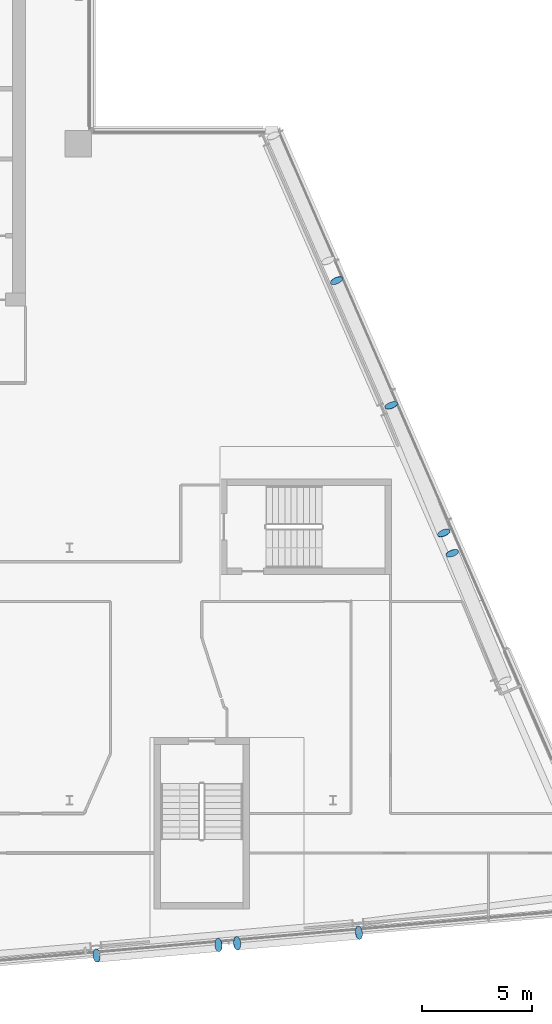
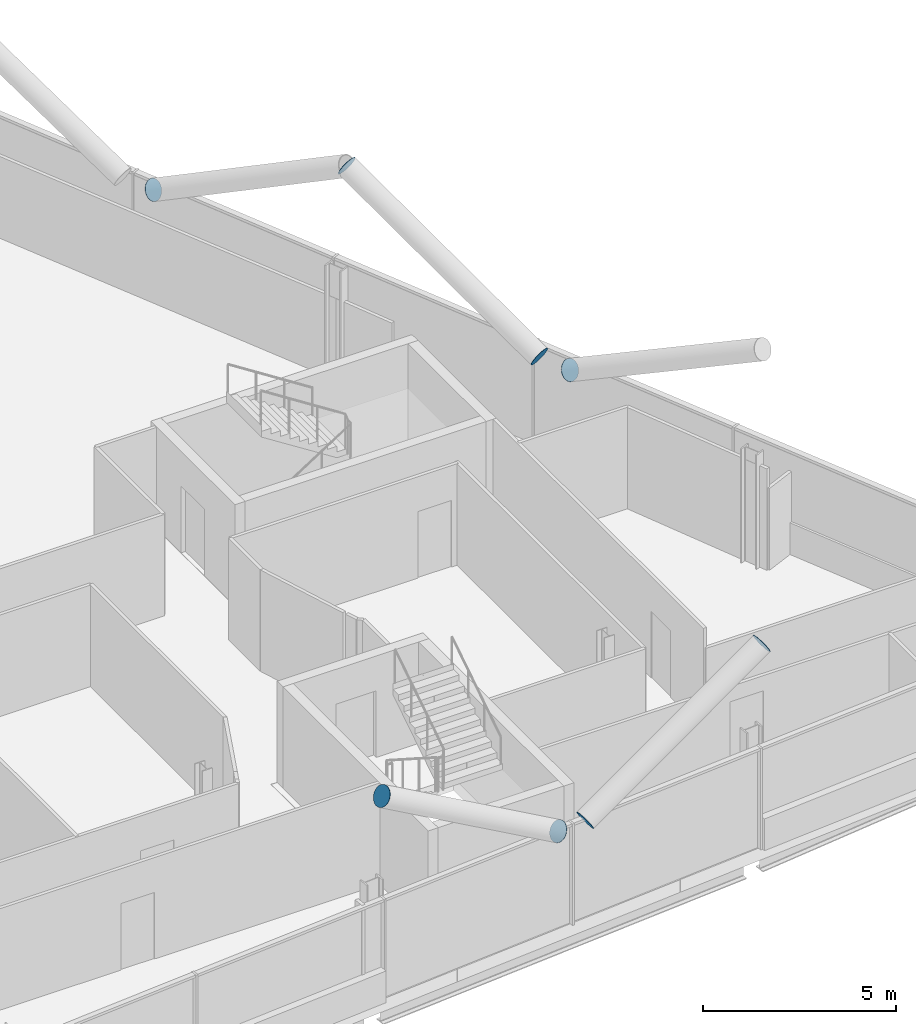
# One storey, part 22 of 27: 8 discrete accessories.
"""IFC4 building model written with IfcOpenShell, lengths in metres."""

from ifc_helpers import new_model, si_unit, direction, frame, origin, origin_2d, place, context, subcontext, project, spatial, circle, extrude, material, material_profile, profile_set, type_object, element, save


model = new_model("IFC4")

# Units and contexts
model_context = context("Model", 3, precision=1e-05, world=origin(), true_north=direction((0.0, 1.0)))
body_context = subcontext(model_context, "Body", "Model", "MODEL_VIEW")
ifc_project = project(units=[si_unit("LENGTHUNIT", "METRE"), si_unit("AREAUNIT", "SQUARE_METRE"), si_unit("VOLUMEUNIT", "CUBIC_METRE"), si_unit("PLANEANGLEUNIT", "RADIAN"), si_unit("MASSUNIT", "GRAM", prefix="KILO")], contexts=[model_context])

# Site, building, storey
site_placement = place(None, origin())
site = spatial("IfcSite", under=ifc_project, at=site_placement, CompositionType="ELEMENT")
building_placement = place(site_placement, origin())
building = spatial("IfcBuilding", under=site, at=building_placement, Name="Wharfspan Tower", CompositionType="ELEMENT")
storey_placement = place(building_placement, frame((0.0, 0.0, 243.100098)))
storey = spatial("IfcBuildingStorey", under=building, at=storey_placement, Name="L61", CompositionType="ELEMENT", Elevation=243.100098)

# Discrete accessories
ifc_material = material(Name="Steel S460NH", Category="steel")
ifc_material_profile = material_profile(ifc_material, circle(Radius=0.304932, at=origin_2d()))
ifc_profile_set = profile_set([ifc_material_profile], Name="Steel S460NH")
discrete_accessory_type = type_object("IfcDiscreteAccessoryType", Name="End plate CHS 610x25", PredefinedType="BRACKET", material=ifc_profile_set)
for number, where, z_axis, x_axis, name in (
    (1, (67.629883, 4.984863, 3.154053), (0.844416, 0.072379, 0.530776), (-0.085402, 0.99635, 0.0), "End plate CHS 610x25"),
    (2, (73.175049, 5.469971, 6.5), (0.853405, 0.097532, 0.512043), (-0.113547, 0.993531, 1e-06), "End plate CHS 610x25"),
    (3, (66.787109, 4.911133, 3.154053), (-0.844416, -0.072379, 0.530776), (0.085402, -0.99635, 0.0), "End plate CHS 610x25"),
    (4, (61.241943, 4.426025, 6.5), (-0.855186, -0.073302, 0.513112), (0.085402, -0.996345, 1e-06), "End plate CHS 610x25"),
    (5, (77.051025, 23.666992, 3.162598), (-0.345075, 0.81339, 0.468316), (-0.920586, -0.390551, -2e-06), "End plate CHS 610x25"),
    (6, (74.652588, 29.476318, 6.5), (-0.316603, 0.828038, 0.462727), (-0.934054, -0.357138, -1e-06), "End plate CHS 610x25"),
    (7, (77.428711, 22.752441, 3.162598), (0.316603, -0.828038, 0.462727), (0.934054, 0.357138, -1e-06), "End plate CHS 610x25"),
    (8, (72.163818, 35.168213, 3.161865), (0.366508, -0.806318, 0.464244), (0.910368, 0.413804, 1e-06), "End plate CHS 610x25"),
):
    element("IfcDiscreteAccessory", number, at=place(storey_placement, frame(where, z_axis=z_axis, x_axis=x_axis)), inside=storey, type_object=discrete_accessory_type, Name=name, PredefinedType="BRACKET", context=body_context, shape_type="SweptSolid", body=[
        extrude(circle(Radius=0.304932, at=origin_2d()), origin(), (0.0, 0.0, 1.0), 0.01001),
    ])

save(model, "model.ifc")
